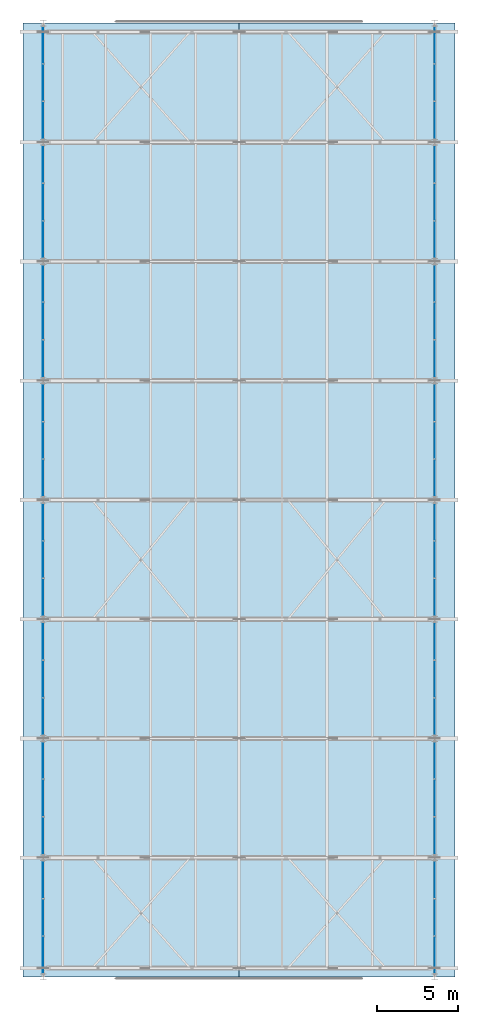
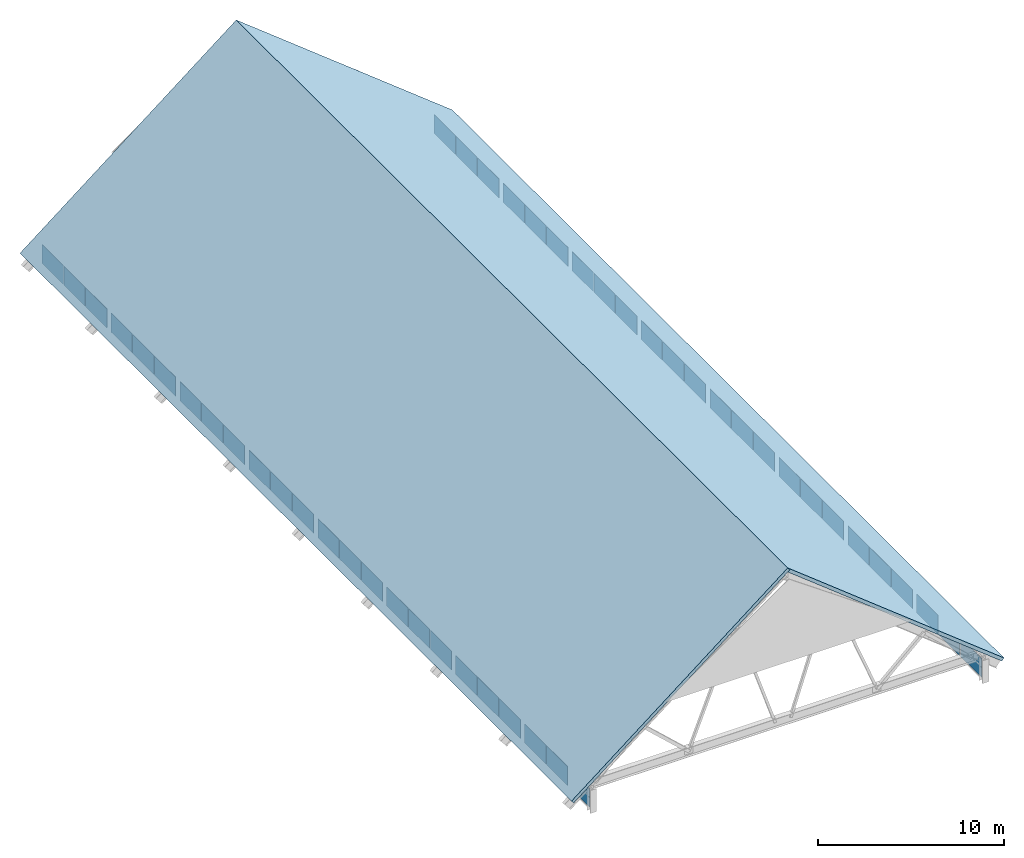
# One storey, part 41 of 44: 48 plates, 2 slabs, 16 elements without a shape of their own.
"""IFC4 building model written with IfcOpenShell, lengths in metres."""

from ifc_helpers import new_model, si_unit, direction, frame, origin, origin_2d, place, context, subcontext, project, spatial, polyline, rectangle, outline, extrude, material, layer, layer_set, type_object, element, aggregate, save


model = new_model("IFC4")

# Units and contexts
model_context = context("Model", 3, precision=1e-05, world=origin(), true_north=direction((0.0, 1.0)))
body_context = subcontext(model_context, "Body", "Model", "MODEL_VIEW")
ifc_project = project(units=[si_unit("LENGTHUNIT", "METRE"), si_unit("AREAUNIT", "SQUARE_METRE"), si_unit("VOLUMEUNIT", "CUBIC_METRE"), si_unit("PLANEANGLEUNIT", "RADIAN"), si_unit("MASSUNIT", "GRAM", prefix="KILO")], contexts=[model_context])

# Site, building, storey
site_placement = place(None, origin())
site = spatial("IfcSite", under=ifc_project, at=site_placement, CompositionType="ELEMENT")
building_placement = place(site_placement, origin())
building = spatial("IfcBuilding", under=site, at=building_placement, Name="Cimatlan Art Gallery", CompositionType="ELEMENT")
storey_placement = place(building_placement, frame((0.0, 0.0, 26.39990234375)))
storey = spatial("IfcBuildingStorey", under=building, at=storey_placement, Name="Roof", CompositionType="ELEMENT", Elevation=26.39990234375)

# Curtain wall, plates
ifc_material_1 = material(Name="Anodised bronze unitised curtain wall")
curtain_wall_type = type_object("IfcCurtainWallType", Name="CW-V-07010X01450-B3", PredefinedType="NOTDEFINED", material=ifc_material_1)
curtain_wall_1_placement = place(storey_placement, origin())
curtain_wall_1 = element("IfcCurtainWall", 1, at=curtain_wall_1_placement, inside=storey, type_object=curtain_wall_type, Name="CW-CRW-W-03", PredefinedType="NOTDEFINED")
ifc_material_2 = material(Name="Low-E insulated double glazing", Category="glass")
ifc_layer_1 = layer(ifc_material_2, 0.028076171875)
ifc_layer_set_1 = layer_set([ifc_layer_1], Name="Low-E insulated double glazing")
plate_type = type_object("IfcPlateType", Name="PNL-2279X1246", PredefinedType="CURTAIN_PANEL", material=ifc_layer_set_1)
plate_1_placement = place(storey_placement, frame((74.89990234375, 25.263427734375, 0.10205078125), z_axis=(0.0, 0.0, 1.0), x_axis=(0.0, 1.0, 0.0)))
plate_1 = element("IfcPlate", 2, at=plate_1_placement, type_object=plate_type, Name="CW-CRW-W-03-P11", PredefinedType="CURTAIN_PANEL", context=body_context, shape_type="SweptSolid", body=[
    extrude(rectangle(XDim=2.279052734375, YDim=0.028076171875, at=origin_2d()), origin(), (0.0, 0.0, 1.0), 1.24609375),
])
plate_2_placement = place(storey_placement, frame((74.89990234375, 27.60009765625, 0.10205078125), z_axis=(0.0, 0.0, 1.0), x_axis=(0.0, 1.0, 0.0)))
plate_2 = element("IfcPlate", 3, at=plate_2_placement, type_object=plate_type, Name="CW-CRW-W-03-P21", PredefinedType="CURTAIN_PANEL", context=body_context, shape_type="SweptSolid", body=[
    extrude(rectangle(XDim=2.279052734375, YDim=0.028076171875, at=origin_2d()), origin(), (0.0, 0.0, 1.0), 1.24609375),
])
plate_3_placement = place(storey_placement, frame((74.89990234375, 29.936767578125, 0.10205078125), z_axis=(0.0, 0.0, 1.0), x_axis=(0.0, 1.0, 0.0)))
plate_3 = element("IfcPlate", 4, at=plate_3_placement, type_object=plate_type, Name="CW-CRW-W-03-P31", PredefinedType="CURTAIN_PANEL", context=body_context, shape_type="SweptSolid", body=[
    extrude(rectangle(XDim=2.279052734375, YDim=0.028076171875, at=origin_2d()), origin(), (0.0, 0.0, 1.0), 1.24609375),
])
aggregate(curtain_wall_1, [plate_1, plate_2, plate_3])

curtain_wall_2_placement = place(storey_placement, origin())
curtain_wall_2 = element("IfcCurtainWall", 5, at=curtain_wall_2_placement, inside=storey, type_object=curtain_wall_type, Name="CW-CRW-E-03", PredefinedType="NOTDEFINED")
plate_4_placement = place(storey_placement, frame((99.199951171875, 29.936767578125, 0.10205078125), z_axis=(0.0, 0.0, 1.0), x_axis=(0.0, -1.0, 0.0)))
plate_4 = element("IfcPlate", 6, at=plate_4_placement, type_object=plate_type, Name="CW-CRW-E-03-P11", PredefinedType="CURTAIN_PANEL", context=body_context, shape_type="SweptSolid", body=[
    extrude(rectangle(XDim=2.279052734375, YDim=0.028076171875, at=origin_2d()), origin(), (0.0, 0.0, 1.0), 1.24609375),
])
plate_5_placement = place(storey_placement, frame((99.199951171875, 27.60009765625, 0.10205078125), z_axis=(0.0, 0.0, 1.0), x_axis=(0.0, -1.0, 0.0)))
plate_5 = element("IfcPlate", 7, at=plate_5_placement, type_object=plate_type, Name="CW-CRW-E-03-P21", PredefinedType="CURTAIN_PANEL", context=body_context, shape_type="SweptSolid", body=[
    extrude(rectangle(XDim=2.279052734375, YDim=0.028076171875, at=origin_2d()), origin(), (0.0, 0.0, 1.0), 1.24609375),
])
plate_6_placement = place(storey_placement, frame((99.199951171875, 25.263427734375, 0.10205078125), z_axis=(0.0, 0.0, 1.0), x_axis=(0.0, -1.0, 0.0)))
plate_6 = element("IfcPlate", 8, at=plate_6_placement, type_object=plate_type, Name="CW-CRW-E-03-P31", PredefinedType="CURTAIN_PANEL", context=body_context, shape_type="SweptSolid", body=[
    extrude(rectangle(XDim=2.279052734375, YDim=0.028076171875, at=origin_2d()), origin(), (0.0, 0.0, 1.0), 1.24609375),
])
aggregate(curtain_wall_2, [plate_4, plate_5, plate_6])

curtain_wall_3_placement = place(storey_placement, origin())
curtain_wall_3 = element("IfcCurtainWall", 9, at=curtain_wall_3_placement, inside=storey, type_object=curtain_wall_type, Name="CW-CRW-W-04", PredefinedType="NOTDEFINED")
plate_7_placement = place(storey_placement, frame((74.89990234375, 32.663330078125, 0.10205078125), z_axis=(0.0, 0.0, 1.0), x_axis=(0.0, 1.0, 0.0)))
plate_7 = element("IfcPlate", 10, at=plate_7_placement, type_object=plate_type, Name="CW-CRW-W-04-P11", PredefinedType="CURTAIN_PANEL", context=body_context, shape_type="SweptSolid", body=[
    extrude(rectangle(XDim=2.279052734375, YDim=0.028076171875, at=origin_2d()), origin(), (0.0, 0.0, 1.0), 1.24609375),
])
plate_8_placement = place(storey_placement, frame((74.89990234375, 35.0, 0.10205078125), z_axis=(0.0, 0.0, 1.0), x_axis=(0.0, 1.0, 0.0)))
plate_8 = element("IfcPlate", 11, at=plate_8_placement, type_object=plate_type, Name="CW-CRW-W-04-P21", PredefinedType="CURTAIN_PANEL", context=body_context, shape_type="SweptSolid", body=[
    extrude(rectangle(XDim=2.279052734375, YDim=0.028076171875, at=origin_2d()), origin(), (0.0, 0.0, 1.0), 1.24609375),
])
plate_9_placement = place(storey_placement, frame((74.89990234375, 37.336669921875, 0.10205078125), z_axis=(0.0, 0.0, 1.0), x_axis=(0.0, 1.0, 0.0)))
plate_9 = element("IfcPlate", 12, at=plate_9_placement, type_object=plate_type, Name="CW-CRW-W-04-P31", PredefinedType="CURTAIN_PANEL", context=body_context, shape_type="SweptSolid", body=[
    extrude(rectangle(XDim=2.279052734375, YDim=0.028076171875, at=origin_2d()), origin(), (0.0, 0.0, 1.0), 1.24609375),
])
aggregate(curtain_wall_3, [plate_7, plate_8, plate_9])

curtain_wall_4_placement = place(storey_placement, origin())
curtain_wall_4 = element("IfcCurtainWall", 13, at=curtain_wall_4_placement, inside=storey, type_object=curtain_wall_type, Name="CW-CRW-E-04", PredefinedType="NOTDEFINED")
plate_10_placement = place(storey_placement, frame((99.199951171875, 37.336669921875, 0.10205078125), z_axis=(0.0, 0.0, 1.0), x_axis=(0.0, -1.0, 0.0)))
plate_10 = element("IfcPlate", 14, at=plate_10_placement, type_object=plate_type, Name="CW-CRW-E-04-P11", PredefinedType="CURTAIN_PANEL", context=body_context, shape_type="SweptSolid", body=[
    extrude(rectangle(XDim=2.279052734375, YDim=0.028076171875, at=origin_2d()), origin(), (0.0, 0.0, 1.0), 1.24609375),
])
plate_11_placement = place(storey_placement, frame((99.199951171875, 35.0, 0.10205078125), z_axis=(0.0, 0.0, 1.0), x_axis=(0.0, -1.0, 0.0)))
plate_11 = element("IfcPlate", 15, at=plate_11_placement, type_object=plate_type, Name="CW-CRW-E-04-P21", PredefinedType="CURTAIN_PANEL", context=body_context, shape_type="SweptSolid", body=[
    extrude(rectangle(XDim=2.279052734375, YDim=0.028076171875, at=origin_2d()), origin(), (0.0, 0.0, 1.0), 1.24609375),
])
plate_12_placement = place(storey_placement, frame((99.199951171875, 32.663330078125, 0.10205078125), z_axis=(0.0, 0.0, 1.0), x_axis=(0.0, -1.0, 0.0)))
plate_12 = element("IfcPlate", 16, at=plate_12_placement, type_object=plate_type, Name="CW-CRW-E-04-P31", PredefinedType="CURTAIN_PANEL", context=body_context, shape_type="SweptSolid", body=[
    extrude(rectangle(XDim=2.279052734375, YDim=0.028076171875, at=origin_2d()), origin(), (0.0, 0.0, 1.0), 1.24609375),
])
aggregate(curtain_wall_4, [plate_10, plate_11, plate_12])

curtain_wall_5_placement = place(storey_placement, origin())
curtain_wall_5 = element("IfcCurtainWall", 17, at=curtain_wall_5_placement, inside=storey, type_object=curtain_wall_type, Name="CW-CRW-W-05", PredefinedType="NOTDEFINED")
plate_13_placement = place(storey_placement, frame((74.89990234375, 40.063232421875, 0.10205078125), z_axis=(0.0, 0.0, 1.0), x_axis=(0.0, 1.0, 0.0)))
plate_13 = element("IfcPlate", 18, at=plate_13_placement, type_object=plate_type, Name="CW-CRW-W-05-P11", PredefinedType="CURTAIN_PANEL", context=body_context, shape_type="SweptSolid", body=[
    extrude(rectangle(XDim=2.279052734375, YDim=0.028076171875, at=origin_2d()), origin(), (0.0, 0.0, 1.0), 1.24609375),
])
plate_14_placement = place(storey_placement, frame((74.89990234375, 42.39990234375, 0.10205078125), z_axis=(0.0, 0.0, 1.0), x_axis=(0.0, 1.0, 0.0)))
plate_14 = element("IfcPlate", 19, at=plate_14_placement, type_object=plate_type, Name="CW-CRW-W-05-P21", PredefinedType="CURTAIN_PANEL", context=body_context, shape_type="SweptSolid", body=[
    extrude(rectangle(XDim=2.279052734375, YDim=0.028076171875, at=origin_2d()), origin(), (0.0, 0.0, 1.0), 1.24609375),
])
plate_15_placement = place(storey_placement, frame((74.89990234375, 44.736572265625, 0.10205078125), z_axis=(0.0, 0.0, 1.0), x_axis=(0.0, 1.0, 0.0)))
plate_15 = element("IfcPlate", 20, at=plate_15_placement, type_object=plate_type, Name="CW-CRW-W-05-P31", PredefinedType="CURTAIN_PANEL", context=body_context, shape_type="SweptSolid", body=[
    extrude(rectangle(XDim=2.279052734375, YDim=0.028076171875, at=origin_2d()), origin(), (0.0, 0.0, 1.0), 1.24609375),
])
aggregate(curtain_wall_5, [plate_13, plate_14, plate_15])

curtain_wall_6_placement = place(storey_placement, origin())
curtain_wall_6 = element("IfcCurtainWall", 21, at=curtain_wall_6_placement, inside=storey, type_object=curtain_wall_type, Name="CW-CRW-E-05", PredefinedType="NOTDEFINED")
plate_16_placement = place(storey_placement, frame((99.199951171875, 44.736572265625, 0.10205078125), z_axis=(0.0, 0.0, 1.0), x_axis=(0.0, -1.0, 0.0)))
plate_16 = element("IfcPlate", 22, at=plate_16_placement, type_object=plate_type, Name="CW-CRW-E-05-P11", PredefinedType="CURTAIN_PANEL", context=body_context, shape_type="SweptSolid", body=[
    extrude(rectangle(XDim=2.279052734375, YDim=0.028076171875, at=origin_2d()), origin(), (0.0, 0.0, 1.0), 1.24609375),
])
plate_17_placement = place(storey_placement, frame((99.199951171875, 42.39990234375, 0.10205078125), z_axis=(0.0, 0.0, 1.0), x_axis=(0.0, -1.0, 0.0)))
plate_17 = element("IfcPlate", 23, at=plate_17_placement, type_object=plate_type, Name="CW-CRW-E-05-P21", PredefinedType="CURTAIN_PANEL", context=body_context, shape_type="SweptSolid", body=[
    extrude(rectangle(XDim=2.279052734375, YDim=0.028076171875, at=origin_2d()), origin(), (0.0, 0.0, 1.0), 1.24609375),
])
plate_18_placement = place(storey_placement, frame((99.199951171875, 40.063232421875, 0.10205078125), z_axis=(0.0, 0.0, 1.0), x_axis=(0.0, -1.0, 0.0)))
plate_18 = element("IfcPlate", 24, at=plate_18_placement, type_object=plate_type, Name="CW-CRW-E-05-P31", PredefinedType="CURTAIN_PANEL", context=body_context, shape_type="SweptSolid", body=[
    extrude(rectangle(XDim=2.279052734375, YDim=0.028076171875, at=origin_2d()), origin(), (0.0, 0.0, 1.0), 1.24609375),
])
aggregate(curtain_wall_6, [plate_16, plate_17, plate_18])

curtain_wall_7_placement = place(storey_placement, origin())
curtain_wall_7 = element("IfcCurtainWall", 25, at=curtain_wall_7_placement, inside=storey, type_object=curtain_wall_type, Name="CW-CRW-W-06", PredefinedType="NOTDEFINED")
plate_19_placement = place(storey_placement, frame((74.89990234375, 47.46337890625, 0.10205078125), z_axis=(0.0, 0.0, 1.0), x_axis=(0.0, 1.0, 0.0)))
plate_19 = element("IfcPlate", 26, at=plate_19_placement, type_object=plate_type, Name="CW-CRW-W-06-P11", PredefinedType="CURTAIN_PANEL", context=body_context, shape_type="SweptSolid", body=[
    extrude(rectangle(XDim=2.279052734375, YDim=0.028076171875, at=origin_2d()), origin(), (0.0, 0.0, 1.0), 1.24609375),
])
plate_20_placement = place(storey_placement, frame((74.89990234375, 49.800048828125, 0.10205078125), z_axis=(0.0, 0.0, 1.0), x_axis=(0.0, 1.0, 0.0)))
plate_20 = element("IfcPlate", 27, at=plate_20_placement, type_object=plate_type, Name="CW-CRW-W-06-P21", PredefinedType="CURTAIN_PANEL", context=body_context, shape_type="SweptSolid", body=[
    extrude(rectangle(XDim=2.279052734375, YDim=0.028076171875, at=origin_2d()), origin(), (0.0, 0.0, 1.0), 1.24609375),
])
plate_21_placement = place(storey_placement, frame((74.89990234375, 52.13671875, 0.10205078125), z_axis=(0.0, 0.0, 1.0), x_axis=(0.0, 1.0, 0.0)))
plate_21 = element("IfcPlate", 28, at=plate_21_placement, type_object=plate_type, Name="CW-CRW-W-06-P31", PredefinedType="CURTAIN_PANEL", context=body_context, shape_type="SweptSolid", body=[
    extrude(rectangle(XDim=2.279052734375, YDim=0.028076171875, at=origin_2d()), origin(), (0.0, 0.0, 1.0), 1.24609375),
])
aggregate(curtain_wall_7, [plate_19, plate_20, plate_21])

curtain_wall_8_placement = place(storey_placement, origin())
curtain_wall_8 = element("IfcCurtainWall", 29, at=curtain_wall_8_placement, inside=storey, type_object=curtain_wall_type, Name="CW-CRW-E-06", PredefinedType="NOTDEFINED")
plate_22_placement = place(storey_placement, frame((99.199951171875, 52.13671875, 0.10205078125), z_axis=(0.0, 0.0, 1.0), x_axis=(0.0, -1.0, 0.0)))
plate_22 = element("IfcPlate", 30, at=plate_22_placement, type_object=plate_type, Name="CW-CRW-E-06-P11", PredefinedType="CURTAIN_PANEL", context=body_context, shape_type="SweptSolid", body=[
    extrude(rectangle(XDim=2.279052734375, YDim=0.028076171875, at=origin_2d()), origin(), (0.0, 0.0, 1.0), 1.24609375),
])
plate_23_placement = place(storey_placement, frame((99.199951171875, 49.800048828125, 0.10205078125), z_axis=(0.0, 0.0, 1.0), x_axis=(0.0, -1.0, 0.0)))
plate_23 = element("IfcPlate", 31, at=plate_23_placement, type_object=plate_type, Name="CW-CRW-E-06-P21", PredefinedType="CURTAIN_PANEL", context=body_context, shape_type="SweptSolid", body=[
    extrude(rectangle(XDim=2.279052734375, YDim=0.028076171875, at=origin_2d()), origin(), (0.0, 0.0, 1.0), 1.24609375),
])
plate_24_placement = place(storey_placement, frame((99.199951171875, 47.46337890625, 0.10205078125), z_axis=(0.0, 0.0, 1.0), x_axis=(0.0, -1.0, 0.0)))
plate_24 = element("IfcPlate", 32, at=plate_24_placement, type_object=plate_type, Name="CW-CRW-E-06-P31", PredefinedType="CURTAIN_PANEL", context=body_context, shape_type="SweptSolid", body=[
    extrude(rectangle(XDim=2.279052734375, YDim=0.028076171875, at=origin_2d()), origin(), (0.0, 0.0, 1.0), 1.24609375),
])
aggregate(curtain_wall_8, [plate_22, plate_23, plate_24])

curtain_wall_9_placement = place(storey_placement, origin())
curtain_wall_9 = element("IfcCurtainWall", 33, at=curtain_wall_9_placement, inside=storey, type_object=curtain_wall_type, Name="CW-CRW-W-07", PredefinedType="NOTDEFINED")
plate_25_placement = place(storey_placement, frame((74.89990234375, 54.86328125, 0.10205078125), z_axis=(0.0, 0.0, 1.0), x_axis=(0.0, 1.0, 0.0)))
plate_25 = element("IfcPlate", 34, at=plate_25_placement, type_object=plate_type, Name="CW-CRW-W-07-P11", PredefinedType="CURTAIN_PANEL", context=body_context, shape_type="SweptSolid", body=[
    extrude(rectangle(XDim=2.279052734375, YDim=0.028076171875, at=origin_2d()), origin(), (0.0, 0.0, 1.0), 1.24609375),
])
plate_26_placement = place(storey_placement, frame((74.89990234375, 57.199951171875, 0.10205078125), z_axis=(0.0, 0.0, 1.0), x_axis=(0.0, 1.0, 0.0)))
plate_26 = element("IfcPlate", 35, at=plate_26_placement, type_object=plate_type, Name="CW-CRW-W-07-P21", PredefinedType="CURTAIN_PANEL", context=body_context, shape_type="SweptSolid", body=[
    extrude(rectangle(XDim=2.279052734375, YDim=0.028076171875, at=origin_2d()), origin(), (0.0, 0.0, 1.0), 1.24609375),
])
plate_27_placement = place(storey_placement, frame((74.89990234375, 59.53662109375, 0.10205078125), z_axis=(0.0, 0.0, 1.0), x_axis=(0.0, 1.0, 0.0)))
plate_27 = element("IfcPlate", 36, at=plate_27_placement, type_object=plate_type, Name="CW-CRW-W-07-P31", PredefinedType="CURTAIN_PANEL", context=body_context, shape_type="SweptSolid", body=[
    extrude(rectangle(XDim=2.279052734375, YDim=0.028076171875, at=origin_2d()), origin(), (0.0, 0.0, 1.0), 1.24609375),
])
aggregate(curtain_wall_9, [plate_25, plate_26, plate_27])

curtain_wall_10_placement = place(storey_placement, origin())
curtain_wall_10 = element("IfcCurtainWall", 37, at=curtain_wall_10_placement, inside=storey, type_object=curtain_wall_type, Name="CW-CRW-E-07", PredefinedType="NOTDEFINED")
plate_28_placement = place(storey_placement, frame((99.199951171875, 59.53662109375, 0.10205078125), z_axis=(0.0, 0.0, 1.0), x_axis=(0.0, -1.0, 0.0)))
plate_28 = element("IfcPlate", 38, at=plate_28_placement, type_object=plate_type, Name="CW-CRW-E-07-P11", PredefinedType="CURTAIN_PANEL", context=body_context, shape_type="SweptSolid", body=[
    extrude(rectangle(XDim=2.279052734375, YDim=0.028076171875, at=origin_2d()), origin(), (0.0, 0.0, 1.0), 1.24609375),
])
plate_29_placement = place(storey_placement, frame((99.199951171875, 57.199951171875, 0.10205078125), z_axis=(0.0, 0.0, 1.0), x_axis=(0.0, -1.0, 0.0)))
plate_29 = element("IfcPlate", 39, at=plate_29_placement, type_object=plate_type, Name="CW-CRW-E-07-P21", PredefinedType="CURTAIN_PANEL", context=body_context, shape_type="SweptSolid", body=[
    extrude(rectangle(XDim=2.279052734375, YDim=0.028076171875, at=origin_2d()), origin(), (0.0, 0.0, 1.0), 1.24609375),
])
plate_30_placement = place(storey_placement, frame((99.199951171875, 54.86328125, 0.10205078125), z_axis=(0.0, 0.0, 1.0), x_axis=(0.0, -1.0, 0.0)))
plate_30 = element("IfcPlate", 40, at=plate_30_placement, type_object=plate_type, Name="CW-CRW-E-07-P31", PredefinedType="CURTAIN_PANEL", context=body_context, shape_type="SweptSolid", body=[
    extrude(rectangle(XDim=2.279052734375, YDim=0.028076171875, at=origin_2d()), origin(), (0.0, 0.0, 1.0), 1.24609375),
])
aggregate(curtain_wall_10, [plate_28, plate_29, plate_30])

curtain_wall_11_placement = place(storey_placement, origin())
curtain_wall_11 = element("IfcCurtainWall", 41, at=curtain_wall_11_placement, inside=storey, type_object=curtain_wall_type, Name="CW-CRW-W-08", PredefinedType="NOTDEFINED")
plate_31_placement = place(storey_placement, frame((74.89990234375, 62.263427734375, 0.10205078125), z_axis=(0.0, 0.0, 1.0), x_axis=(0.0, 1.0, 0.0)))
plate_31 = element("IfcPlate", 42, at=plate_31_placement, type_object=plate_type, Name="CW-CRW-W-08-P11", PredefinedType="CURTAIN_PANEL", context=body_context, shape_type="SweptSolid", body=[
    extrude(rectangle(XDim=2.279052734375, YDim=0.028076171875, at=origin_2d()), origin(), (0.0, 0.0, 1.0), 1.24609375),
])
plate_32_placement = place(storey_placement, frame((74.89990234375, 64.60009765625, 0.10205078125), z_axis=(0.0, 0.0, 1.0), x_axis=(0.0, 1.0, 0.0)))
plate_32 = element("IfcPlate", 43, at=plate_32_placement, type_object=plate_type, Name="CW-CRW-W-08-P21", PredefinedType="CURTAIN_PANEL", context=body_context, shape_type="SweptSolid", body=[
    extrude(rectangle(XDim=2.279052734375, YDim=0.028076171875, at=origin_2d()), origin(), (0.0, 0.0, 1.0), 1.24609375),
])
plate_33_placement = place(storey_placement, frame((74.89990234375, 66.936767578125, 0.10205078125), z_axis=(0.0, 0.0, 1.0), x_axis=(0.0, 1.0, 0.0)))
plate_33 = element("IfcPlate", 44, at=plate_33_placement, type_object=plate_type, Name="CW-CRW-W-08-P31", PredefinedType="CURTAIN_PANEL", context=body_context, shape_type="SweptSolid", body=[
    extrude(rectangle(XDim=2.279052734375, YDim=0.028076171875, at=origin_2d()), origin(), (0.0, 0.0, 1.0), 1.24609375),
])
aggregate(curtain_wall_11, [plate_31, plate_32, plate_33])

curtain_wall_12_placement = place(storey_placement, origin())
curtain_wall_12 = element("IfcCurtainWall", 45, at=curtain_wall_12_placement, inside=storey, type_object=curtain_wall_type, Name="CW-CRW-E-08", PredefinedType="NOTDEFINED")
plate_34_placement = place(storey_placement, frame((99.199951171875, 66.936767578125, 0.10205078125), z_axis=(0.0, 0.0, 1.0), x_axis=(0.0, -1.0, 0.0)))
plate_34 = element("IfcPlate", 46, at=plate_34_placement, type_object=plate_type, Name="CW-CRW-E-08-P11", PredefinedType="CURTAIN_PANEL", context=body_context, shape_type="SweptSolid", body=[
    extrude(rectangle(XDim=2.279052734375, YDim=0.028076171875, at=origin_2d()), origin(), (0.0, 0.0, 1.0), 1.24609375),
])
plate_35_placement = place(storey_placement, frame((99.199951171875, 64.60009765625, 0.10205078125), z_axis=(0.0, 0.0, 1.0), x_axis=(0.0, -1.0, 0.0)))
plate_35 = element("IfcPlate", 47, at=plate_35_placement, type_object=plate_type, Name="CW-CRW-E-08-P21", PredefinedType="CURTAIN_PANEL", context=body_context, shape_type="SweptSolid", body=[
    extrude(rectangle(XDim=2.279052734375, YDim=0.028076171875, at=origin_2d()), origin(), (0.0, 0.0, 1.0), 1.24609375),
])
plate_36_placement = place(storey_placement, frame((99.199951171875, 62.263427734375, 0.10205078125), z_axis=(0.0, 0.0, 1.0), x_axis=(0.0, -1.0, 0.0)))
plate_36 = element("IfcPlate", 48, at=plate_36_placement, type_object=plate_type, Name="CW-CRW-E-08-P31", PredefinedType="CURTAIN_PANEL", context=body_context, shape_type="SweptSolid", body=[
    extrude(rectangle(XDim=2.279052734375, YDim=0.028076171875, at=origin_2d()), origin(), (0.0, 0.0, 1.0), 1.24609375),
])
aggregate(curtain_wall_12, [plate_34, plate_35, plate_36])

curtain_wall_13_placement = place(storey_placement, origin())
curtain_wall_13 = element("IfcCurtainWall", 49, at=curtain_wall_13_placement, inside=storey, type_object=curtain_wall_type, Name="CW-CRW-W-09", PredefinedType="NOTDEFINED")
plate_37_placement = place(storey_placement, frame((74.89990234375, 69.663330078125, 0.10205078125), z_axis=(0.0, 0.0, 1.0), x_axis=(0.0, 1.0, 0.0)))
plate_37 = element("IfcPlate", 50, at=plate_37_placement, type_object=plate_type, Name="CW-CRW-W-09-P11", PredefinedType="CURTAIN_PANEL", context=body_context, shape_type="SweptSolid", body=[
    extrude(rectangle(XDim=2.279052734375, YDim=0.028076171875, at=origin_2d()), origin(), (0.0, 0.0, 1.0), 1.24609375),
])
plate_38_placement = place(storey_placement, frame((74.89990234375, 72.0, 0.10205078125), z_axis=(0.0, 0.0, 1.0), x_axis=(0.0, 1.0, 0.0)))
plate_38 = element("IfcPlate", 51, at=plate_38_placement, type_object=plate_type, Name="CW-CRW-W-09-P21", PredefinedType="CURTAIN_PANEL", context=body_context, shape_type="SweptSolid", body=[
    extrude(rectangle(XDim=2.279052734375, YDim=0.028076171875, at=origin_2d()), origin(), (0.0, 0.0, 1.0), 1.24609375),
])
plate_39_placement = place(storey_placement, frame((74.89990234375, 74.336669921875, 0.10205078125), z_axis=(0.0, 0.0, 1.0), x_axis=(0.0, 1.0, 0.0)))
plate_39 = element("IfcPlate", 52, at=plate_39_placement, type_object=plate_type, Name="CW-CRW-W-09-P31", PredefinedType="CURTAIN_PANEL", context=body_context, shape_type="SweptSolid", body=[
    extrude(rectangle(XDim=2.279052734375, YDim=0.028076171875, at=origin_2d()), origin(), (0.0, 0.0, 1.0), 1.24609375),
])
aggregate(curtain_wall_13, [plate_37, plate_38, plate_39])

curtain_wall_14_placement = place(storey_placement, origin())
curtain_wall_14 = element("IfcCurtainWall", 53, at=curtain_wall_14_placement, inside=storey, type_object=curtain_wall_type, Name="CW-CRW-E-09", PredefinedType="NOTDEFINED")
plate_40_placement = place(storey_placement, frame((99.199951171875, 74.336669921875, 0.10205078125), z_axis=(0.0, 0.0, 1.0), x_axis=(0.0, -1.0, 0.0)))
plate_40 = element("IfcPlate", 54, at=plate_40_placement, type_object=plate_type, Name="CW-CRW-E-09-P11", PredefinedType="CURTAIN_PANEL", context=body_context, shape_type="SweptSolid", body=[
    extrude(rectangle(XDim=2.279052734375, YDim=0.028076171875, at=origin_2d()), origin(), (0.0, 0.0, 1.0), 1.24609375),
])
plate_41_placement = place(storey_placement, frame((99.199951171875, 72.0, 0.10205078125), z_axis=(0.0, 0.0, 1.0), x_axis=(0.0, -1.0, 0.0)))
plate_41 = element("IfcPlate", 55, at=plate_41_placement, type_object=plate_type, Name="CW-CRW-E-09-P21", PredefinedType="CURTAIN_PANEL", context=body_context, shape_type="SweptSolid", body=[
    extrude(rectangle(XDim=2.279052734375, YDim=0.028076171875, at=origin_2d()), origin(), (0.0, 0.0, 1.0), 1.24609375),
])
plate_42_placement = place(storey_placement, frame((99.199951171875, 69.663330078125, 0.10205078125), z_axis=(0.0, 0.0, 1.0), x_axis=(0.0, -1.0, 0.0)))
plate_42 = element("IfcPlate", 56, at=plate_42_placement, type_object=plate_type, Name="CW-CRW-E-09-P31", PredefinedType="CURTAIN_PANEL", context=body_context, shape_type="SweptSolid", body=[
    extrude(rectangle(XDim=2.279052734375, YDim=0.028076171875, at=origin_2d()), origin(), (0.0, 0.0, 1.0), 1.24609375),
])
aggregate(curtain_wall_14, [plate_40, plate_41, plate_42])

curtain_wall_15_placement = place(storey_placement, origin())
curtain_wall_15 = element("IfcCurtainWall", 57, at=curtain_wall_15_placement, inside=storey, type_object=curtain_wall_type, Name="CW-CRW-W-10", PredefinedType="NOTDEFINED")
plate_43_placement = place(storey_placement, frame((74.89990234375, 77.063232421875, 0.10205078125), z_axis=(0.0, 0.0, 1.0), x_axis=(0.0, 1.0, 0.0)))
plate_43 = element("IfcPlate", 58, at=plate_43_placement, type_object=plate_type, Name="CW-CRW-W-10-P11", PredefinedType="CURTAIN_PANEL", context=body_context, shape_type="SweptSolid", body=[
    extrude(rectangle(XDim=2.279052734375, YDim=0.028076171875, at=origin_2d()), origin(), (0.0, 0.0, 1.0), 1.24609375),
])
plate_44_placement = place(storey_placement, frame((74.89990234375, 79.39990234375, 0.10205078125), z_axis=(0.0, 0.0, 1.0), x_axis=(0.0, 1.0, 0.0)))
plate_44 = element("IfcPlate", 59, at=plate_44_placement, type_object=plate_type, Name="CW-CRW-W-10-P21", PredefinedType="CURTAIN_PANEL", context=body_context, shape_type="SweptSolid", body=[
    extrude(rectangle(XDim=2.279052734375, YDim=0.028076171875, at=origin_2d()), origin(), (0.0, 0.0, 1.0), 1.24609375),
])
plate_45_placement = place(storey_placement, frame((74.89990234375, 81.736572265625, 0.10205078125), z_axis=(0.0, 0.0, 1.0), x_axis=(0.0, 1.0, 0.0)))
plate_45 = element("IfcPlate", 60, at=plate_45_placement, type_object=plate_type, Name="CW-CRW-W-10-P31", PredefinedType="CURTAIN_PANEL", context=body_context, shape_type="SweptSolid", body=[
    extrude(rectangle(XDim=2.279052734375, YDim=0.028076171875, at=origin_2d()), origin(), (0.0, 0.0, 1.0), 1.24609375),
])
aggregate(curtain_wall_15, [plate_43, plate_44, plate_45])

curtain_wall_16_placement = place(storey_placement, origin())
curtain_wall_16 = element("IfcCurtainWall", 61, at=curtain_wall_16_placement, inside=storey, type_object=curtain_wall_type, Name="CW-CRW-E-10", PredefinedType="NOTDEFINED")
plate_46_placement = place(storey_placement, frame((99.199951171875, 81.736572265625, 0.10205078125), z_axis=(0.0, 0.0, 1.0), x_axis=(0.0, -1.0, 0.0)))
plate_46 = element("IfcPlate", 62, at=plate_46_placement, type_object=plate_type, Name="CW-CRW-E-10-P11", PredefinedType="CURTAIN_PANEL", context=body_context, shape_type="SweptSolid", body=[
    extrude(rectangle(XDim=2.279052734375, YDim=0.028076171875, at=origin_2d()), origin(), (0.0, 0.0, 1.0), 1.24609375),
])
plate_47_placement = place(storey_placement, frame((99.199951171875, 79.39990234375, 0.10205078125), z_axis=(0.0, 0.0, 1.0), x_axis=(0.0, -1.0, 0.0)))
plate_47 = element("IfcPlate", 63, at=plate_47_placement, type_object=plate_type, Name="CW-CRW-E-10-P21", PredefinedType="CURTAIN_PANEL", context=body_context, shape_type="SweptSolid", body=[
    extrude(rectangle(XDim=2.279052734375, YDim=0.028076171875, at=origin_2d()), origin(), (0.0, 0.0, 1.0), 1.24609375),
])
plate_48_placement = place(storey_placement, frame((99.199951171875, 77.063232421875, 0.10205078125), z_axis=(0.0, 0.0, 1.0), x_axis=(0.0, -1.0, 0.0)))
plate_48 = element("IfcPlate", 64, at=plate_48_placement, type_object=plate_type, Name="CW-CRW-E-10-P31", PredefinedType="CURTAIN_PANEL", context=body_context, shape_type="SweptSolid", body=[
    extrude(rectangle(XDim=2.279052734375, YDim=0.028076171875, at=origin_2d()), origin(), (0.0, 0.0, 1.0), 1.24609375),
])
aggregate(curtain_wall_16, [plate_46, plate_47, plate_48])

# Slabs
ifc_material_3 = material(Name="Concrete C35/45", Category="concrete")
ifc_layer_2 = layer(ifc_material_3, 0.2099609375)
ifc_layer_set_2 = layer_set([ifc_layer_2], Name="Concrete C35/45")
slab_type = type_object("IfcSlabType", Name="SLB-ROOF-210", PredefinedType="ROOF", material=ifc_layer_set_2)
slab_1_placement = place(storey_placement, frame((73.64990234375, 23.89990234375, 1.072509765625), z_axis=(-0.619953862812, 0.0, 0.78463826569), x_axis=(0.78463826569, 0.0, 0.619953862812)))
element("IfcSlab", 65, at=slab_1_placement, inside=storey, type_object=slab_type, Name="RF-V1-W", PredefinedType="ROOF", context=body_context, shape_type="SweptSolid", body=[
    extrude(outline(polyline([(0.0, 0.0), (17.07812003356359, 0.0), (17.07812003356359, 59.2001953125), (0.0, 59.2001953125), (0.0, 0.0)])), origin(), (0.0, 0.0, -1.0), 0.2099609375),
])
slab_2_placement = place(storey_placement, frame((87.050048828125, 23.89990234375, 11.66015625), z_axis=(0.619960816772, 0.0, 0.784632771217), x_axis=(0.784632771217, 0.0, -0.619960816772)))
element("IfcSlab", 66, at=slab_2_placement, inside=storey, type_object=slab_type, Name="RF-V1-E", PredefinedType="ROOF", context=body_context, shape_type="SweptSolid", body=[
    extrude(outline(polyline([(0.0, 0.0), (17.077928472157712, 0.0), (17.077928472157712, 59.2001953125), (0.0, 59.2001953125), (0.0, 0.0)])), origin(), (0.0, 0.0, -1.0), 0.2099609375),
])

save(model, "model.ifc")
